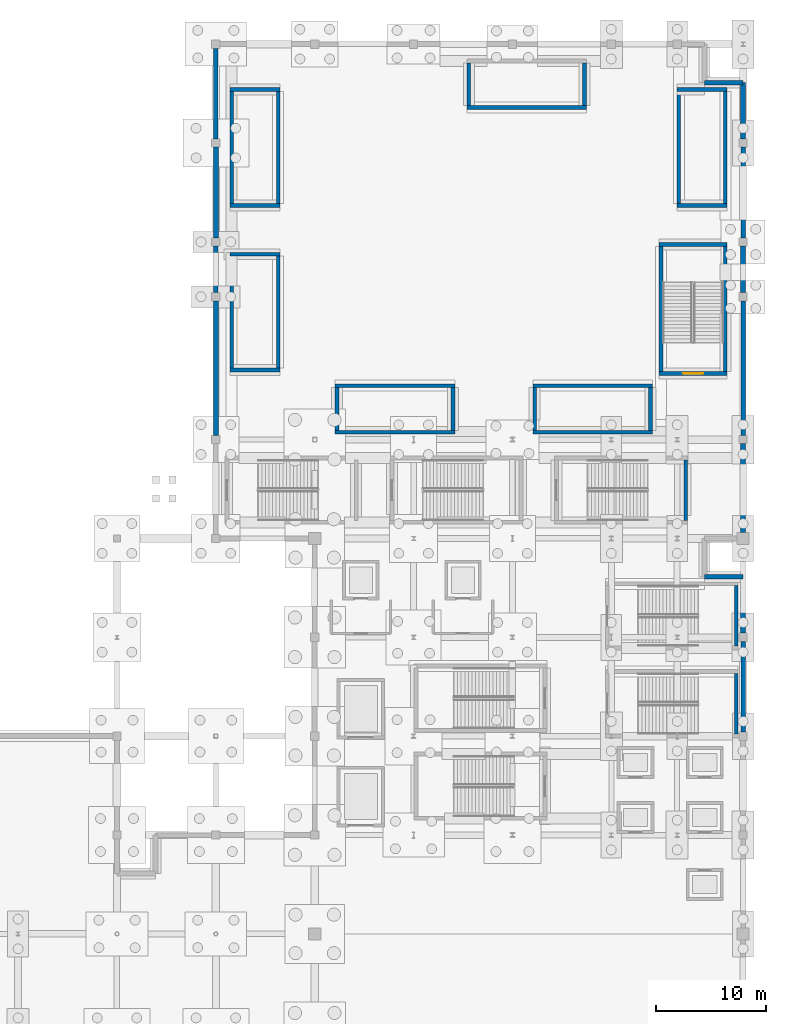
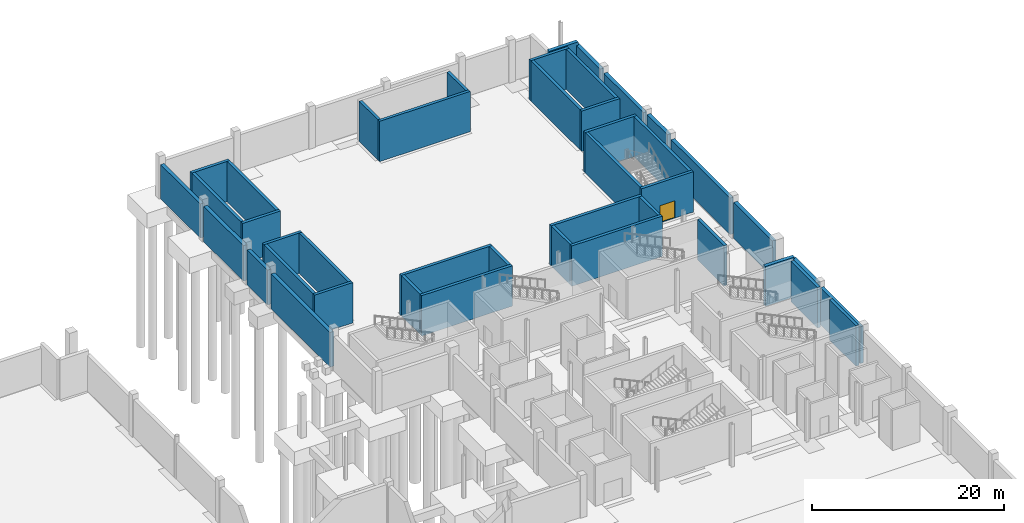
# One storey, part 45 of 58: 43 walls, 1 door, 1 opening.
"""IFC4 building model written with IfcOpenShell, lengths in metres."""

from ifc_helpers import new_model, si_unit, direction, frame, frame_2d, origin, place, context, subcontext, project, spatial, rectangle, extrude, material, layer, layer_set, type_object, element, fill, save


model = new_model("IFC4")

# Units and contexts
model_context = context("Model", 3, precision=1e-05, world=origin(), true_north=direction((0.0, 1.0)))
body_context = subcontext(model_context, "Body", "Model", "MODEL_VIEW")
ifc_project = project(units=[si_unit("LENGTHUNIT", "METRE"), si_unit("AREAUNIT", "SQUARE_METRE"), si_unit("VOLUMEUNIT", "CUBIC_METRE"), si_unit("PLANEANGLEUNIT", "RADIAN"), si_unit("MASSUNIT", "GRAM", prefix="KILO")], contexts=[model_context])

# Site, building, storey
site_placement = place(None, origin())
site = spatial("IfcSite", under=ifc_project, at=site_placement, CompositionType="ELEMENT")
building_placement = place(site_placement, origin())
building = spatial("IfcBuilding", under=site, at=building_placement, Name="Qamarlyn Nura Convention Centre", CompositionType="ELEMENT")
storey_placement = place(building_placement, frame((0.0, 0.0, -5.39990234375)))
storey = spatial("IfcBuildingStorey", under=building, at=storey_placement, Name="B01", CompositionType="ELEMENT", Elevation=-5.39990234375)

# Walls
ifc_material_1 = material(Name="Concrete C50/60", Category="concrete")
ifc_layer_1 = layer(ifc_material_1, 0.35009765625, Name="WT-CORE-350")
ifc_layer_set_1 = layer_set([ifc_layer_1], Name="Concrete C50/60")
wall_type_1 = type_object("IfcWallType", Name="WT-CORE-350", PredefinedType="SHEAR", material=ifc_layer_set_1)
for number, where, z_axis, x_axis, name in (
    (1, (191.375, 63.199951171875, 0.0), (0.0, 0.0, 1.0), (0.0, 1.0, 0.0), "B01 stair core shear wall ST-13-E"),
    (2, (191.375, 71.199951171875, 0.0), (0.0, 0.0, 1.0), (0.0, 1.0, 0.0), "B01 stair core shear wall ST-14-E"),
):
    element("IfcWall", number, at=place(storey_placement, frame(where, z_axis=z_axis, x_axis=x_axis)), inside=storey, type_object=wall_type_1, Name=name, PredefinedType="SHEAR", context=body_context, shape_type="SweptSolid", body=[
        extrude(rectangle(XDim=5.5, YDim=0.35009765625, at=frame_2d((2.75, 0.0))), origin(), (0.0, 0.0, 1.0), 5.139892578125),
    ])
wall_1_placement = place(storey_placement, frame((186.77490234375, 82.64990234375, 0.0), z_axis=(0.0, 0.0, 1.0), x_axis=(0.0, 1.0, 0.0)))
element("IfcWall", 3, at=wall_1_placement, inside=storey, type_object=wall_type_1, Name="B01 stair core shear wall ST-17-E", PredefinedType="SHEAR", context=body_context, shape_type="SweptSolid", body=[
    extrude(rectangle(XDim=5.5, YDim=0.35009765625, at=frame_2d((2.75, 0.0))), origin(), (0.0, 0.0, 1.0), 5.119873046875),
])

# Wall, opening, door
wall_2_placement = place(storey_placement, frame((184.35009765625, 96.02490234375, 0.0), z_axis=(0.0, 0.0, 1.0), x_axis=(1.0, 0.0, 0.0)))
wall_2 = element("IfcWall", 4, at=wall_2_placement, inside=storey, type_object=wall_type_1, Name="B01 stair core shear wall ST-18-S", PredefinedType="SHEAR", context=body_context, shape_type="SweptSolid", body=[
    extrude(rectangle(XDim=6.199951171875, YDim=0.35009765625, at=frame_2d((3.10009765625, 0.0))), origin(), (0.0, 0.0, 1.0), 5.119873046875),
])
opening_placement = place(wall_2_placement, frame((2.199951171875, 0.0, 0.0)))
opening = element("IfcOpeningElement", 5, at=opening_placement, cuts=wall_2, Name="Opening DS-088", PredefinedType="OPENING", context=body_context, shape_type="SweptSolid", body=[
    extrude(rectangle(XDim=1.800048828125, YDim=2.199951171875, at=frame_2d((0.89990234375, 1.10009765625))), frame((0.0, 0.18505859375, 0.0), z_axis=(0.0, -1.0, 0.0), x_axis=(1.0, 0.0, 0.0)), (0.0, 0.0, 1.0), 0.3701171875),
])
ifc_material_2 = material(Name="Galvanised fire-rated hollow steel door", Category="steel")
door_type = type_object("IfcDoorType", Name="DR-STAIR-1800", OperationType="DOUBLE_DOOR_SINGLE_SWING", PredefinedType="DOOR", material=ifc_material_2)
door_placement = place(opening_placement, origin())
door = element("IfcDoor", 6, at=door_placement, inside=storey, type_object=door_type, Name="B01 exit stair door ST-18 (DS-088)", OperationType="DOUBLE_DOOR_SINGLE_SWING", OverallHeight=2.199951171875, OverallWidth=1.800048828125, PredefinedType="DOOR", context=body_context, shape_type="SweptSolid", body=[
    extrude(rectangle(XDim=1.800048828125, YDim=2.199951171875, at=frame_2d((0.89990234375, 1.10009765625))), frame((0.0, 0.02490234375, 0.0), z_axis=(0.0, -1.0, 0.0), x_axis=(1.0, 0.0, 0.0)), (0.0, 0.0, 1.0), 0.050048828125),
])
fill(opening, door)

# Walls
wall_3_placement = place(storey_placement, frame((190.550048828125, 107.77490234375, 0.0), z_axis=(0.0, 0.0, 1.0), x_axis=(-1.0, 0.0, 0.0)))
element("IfcWall", 7, at=wall_3_placement, inside=storey, type_object=wall_type_1, Name="B01 stair core shear wall ST-18-N", PredefinedType="SHEAR", context=body_context, shape_type="SweptSolid", body=[
    extrude(rectangle(XDim=6.199951171875, YDim=0.35009765625, at=frame_2d((3.10009765625, 0.0))), origin(), (0.0, 0.0, 1.0), 5.119873046875),
])
for number, where, z_axis, x_axis, name in (
    (8, (184.52490234375, 107.60009765625, 0.0), (0.0, 0.0, 1.0), (0.0, -1.0, 0.0), "B01 stair core shear wall ST-18-W"),
    (9, (190.375, 96.199951171875, 0.0), (0.0, 0.0, 1.0), (0.0, 1.0, 0.0), "B01 stair core shear wall ST-18-E"),
):
    element("IfcWall", number, at=place(storey_placement, frame(where, z_axis=z_axis, x_axis=x_axis)), inside=storey, type_object=wall_type_1, Name=name, PredefinedType="SHEAR", context=body_context, shape_type="SweptSolid", body=[
        extrude(rectangle(XDim=11.400146484375, YDim=0.35009765625, at=frame_2d((5.7001953125, 0.0))), origin(), (0.0, 0.0, 1.0), 5.119873046875),
    ])
for number, where, z_axis, x_axis, name in (
    (10, (145.27001953125, 96.324951171875, 0.0), (0.0, 0.0, 1.0), (1.0, 0.0, 0.0), "B01 stair core shear wall ST-VOM1-S"),
    (11, (149.85009765625, 106.875, 0.0), (0.0, 0.0, 1.0), (-1.0, 0.0, 0.0), "B01 stair core shear wall ST-VOM1-N"),
):
    element("IfcWall", number, at=place(storey_placement, frame(where, z_axis=z_axis, x_axis=x_axis)), inside=storey, type_object=wall_type_1, Name=name, PredefinedType="SHEAR", context=body_context, shape_type="SweptSolid", body=[
        extrude(rectangle(XDim=4.580078125, YDim=0.35009765625, at=frame_2d((2.2900390625, 0.0))), origin(), (0.0, 0.0, 1.0), 5.119873046875),
    ])
for number, where, z_axis, x_axis, name in (
    (12, (145.445068359375, 106.699951171875, 0.0), (0.0, 0.0, 1.0), (0.0, -1.0, 0.0), "B01 stair core shear wall ST-VOM1-W"),
    (13, (149.675048828125, 96.5, 0.0), (0.0, 0.0, 1.0), (0.0, 1.0, 0.0), "B01 stair core shear wall ST-VOM1-E"),
):
    element("IfcWall", number, at=place(storey_placement, frame(where, z_axis=z_axis, x_axis=x_axis)), inside=storey, type_object=wall_type_1, Name=name, PredefinedType="SHEAR", context=body_context, shape_type="SweptSolid", body=[
        extrude(rectangle(XDim=10.199951171875, YDim=0.35009765625, at=frame_2d((5.10009765625, 0.0))), origin(), (0.0, 0.0, 1.0), 5.119873046875),
    ])
for number, where, z_axis, x_axis, name in (
    (14, (145.27001953125, 111.324951171875, 0.0), (0.0, 0.0, 1.0), (1.0, 0.0, 0.0), "B01 stair core shear wall ST-VOM2-S"),
    (15, (149.85009765625, 121.875, 0.0), (0.0, 0.0, 1.0), (-1.0, 0.0, 0.0), "B01 stair core shear wall ST-VOM2-N"),
):
    element("IfcWall", number, at=place(storey_placement, frame(where, z_axis=z_axis, x_axis=x_axis)), inside=storey, type_object=wall_type_1, Name=name, PredefinedType="SHEAR", context=body_context, shape_type="SweptSolid", body=[
        extrude(rectangle(XDim=4.580078125, YDim=0.35009765625, at=frame_2d((2.2900390625, 0.0))), origin(), (0.0, 0.0, 1.0), 5.119873046875),
    ])
for number, where, z_axis, x_axis, name in (
    (16, (145.445068359375, 121.699951171875, 0.0), (0.0, 0.0, 1.0), (0.0, -1.0, 0.0), "B01 stair core shear wall ST-VOM2-W"),
    (17, (149.675048828125, 111.5, 0.0), (0.0, 0.0, 1.0), (0.0, 1.0, 0.0), "B01 stair core shear wall ST-VOM2-E"),
):
    element("IfcWall", number, at=place(storey_placement, frame(where, z_axis=z_axis, x_axis=x_axis)), inside=storey, type_object=wall_type_1, Name=name, PredefinedType="SHEAR", context=body_context, shape_type="SweptSolid", body=[
        extrude(rectangle(XDim=10.199951171875, YDim=0.35009765625, at=frame_2d((5.10009765625, 0.0))), origin(), (0.0, 0.0, 1.0), 5.119873046875),
    ])
for number, where, z_axis, x_axis, name in (
    (18, (154.85009765625, 90.675048828125, 0.0), (0.0, 0.0, 1.0), (1.0, 0.0, 0.0), "B01 stair core shear wall ST-VOM3-S"),
    (19, (165.75, 94.905029296875, 0.0), (0.0, 0.0, 1.0), (-1.0, 0.0, 0.0), "B01 stair core shear wall ST-VOM3-N"),
):
    element("IfcWall", number, at=place(storey_placement, frame(where, z_axis=z_axis, x_axis=x_axis)), inside=storey, type_object=wall_type_1, Name=name, PredefinedType="SHEAR", context=body_context, shape_type="SweptSolid", body=[
        extrude(rectangle(XDim=10.89990234375, YDim=0.35009765625, at=frame_2d((5.449951171875, 0.0))), origin(), (0.0, 0.0, 1.0), 5.119873046875),
    ])
for number, where, z_axis, x_axis, name in (
    (20, (155.02490234375, 94.72998046875, 0.0), (0.0, 0.0, 1.0), (0.0, -1.0, 0.0), "B01 stair core shear wall ST-VOM3-W"),
    (21, (165.574951171875, 90.85009765625, 0.0), (0.0, 0.0, 1.0), (0.0, 1.0, 0.0), "B01 stair core shear wall ST-VOM3-E"),
):
    element("IfcWall", number, at=place(storey_placement, frame(where, z_axis=z_axis, x_axis=x_axis)), inside=storey, type_object=wall_type_1, Name=name, PredefinedType="SHEAR", context=body_context, shape_type="SweptSolid", body=[
        extrude(rectangle(XDim=3.8798828125, YDim=0.35009765625, at=frame_2d((1.93994140625, 0.0))), origin(), (0.0, 0.0, 1.0), 5.119873046875),
    ])
for number, where, z_axis, x_axis, name in (
    (22, (172.85009765625, 90.675048828125, 0.0), (0.0, 0.0, 1.0), (1.0, 0.0, 0.0), "B01 stair core shear wall ST-VOM4-S"),
    (23, (183.75, 94.905029296875, 0.0), (0.0, 0.0, 1.0), (-1.0, 0.0, 0.0), "B01 stair core shear wall ST-VOM4-N"),
):
    element("IfcWall", number, at=place(storey_placement, frame(where, z_axis=z_axis, x_axis=x_axis)), inside=storey, type_object=wall_type_1, Name=name, PredefinedType="SHEAR", context=body_context, shape_type="SweptSolid", body=[
        extrude(rectangle(XDim=10.89990234375, YDim=0.35009765625, at=frame_2d((5.449951171875, 0.0))), origin(), (0.0, 0.0, 1.0), 5.119873046875),
    ])
for number, where, z_axis, x_axis, name in (
    (24, (173.02490234375, 94.72998046875, 0.0), (0.0, 0.0, 1.0), (0.0, -1.0, 0.0), "B01 stair core shear wall ST-VOM4-W"),
    (25, (183.574951171875, 90.85009765625, 0.0), (0.0, 0.0, 1.0), (0.0, 1.0, 0.0), "B01 stair core shear wall ST-VOM4-E"),
):
    element("IfcWall", number, at=place(storey_placement, frame(where, z_axis=z_axis, x_axis=x_axis)), inside=storey, type_object=wall_type_1, Name=name, PredefinedType="SHEAR", context=body_context, shape_type="SweptSolid", body=[
        extrude(rectangle(XDim=3.8798828125, YDim=0.35009765625, at=frame_2d((1.93994140625, 0.0))), origin(), (0.0, 0.0, 1.0), 5.119873046875),
    ])
wall_4_placement = place(storey_placement, frame((166.85009765625, 120.22509765625, 0.0), z_axis=(0.0, 0.0, 1.0), x_axis=(1.0, 0.0, 0.0)))
element("IfcWall", 26, at=wall_4_placement, inside=storey, type_object=wall_type_1, Name="B01 stair core shear wall ST-VOM5-S", PredefinedType="SHEAR", context=body_context, shape_type="SweptSolid", body=[
    extrude(rectangle(XDim=10.89990234375, YDim=0.35009765625, at=frame_2d((5.449951171875, 0.0))), origin(), (0.0, 0.0, 1.0), 5.119873046875),
])
for number, where, z_axis, x_axis, name in (
    (27, (167.02490234375, 124.280029296875, 0.0), (0.0, 0.0, 1.0), (0.0, -1.0, 0.0), "B01 stair core shear wall ST-VOM5-W"),
    (28, (177.574951171875, 120.39990234375, 0.0), (0.0, 0.0, 1.0), (0.0, 1.0, 0.0), "B01 stair core shear wall ST-VOM5-E"),
):
    element("IfcWall", number, at=place(storey_placement, frame(where, z_axis=z_axis, x_axis=x_axis)), inside=storey, type_object=wall_type_1, Name=name, PredefinedType="SHEAR", context=body_context, shape_type="SweptSolid", body=[
        extrude(rectangle(XDim=3.880126953125, YDim=0.35009765625, at=frame_2d((1.93994140625, 0.0))), origin(), (0.0, 0.0, 1.0), 5.119873046875),
    ])
for number, where, z_axis, x_axis, name in (
    (29, (185.969970703125, 111.324951171875, 0.0), (0.0, 0.0, 1.0), (1.0, 0.0, 0.0), "B01 stair core shear wall ST-VOM6-S"),
    (30, (190.550048828125, 121.875, 0.0), (0.0, 0.0, 1.0), (-1.0, 0.0, 0.0), "B01 stair core shear wall ST-VOM6-N"),
):
    element("IfcWall", number, at=place(storey_placement, frame(where, z_axis=z_axis, x_axis=x_axis)), inside=storey, type_object=wall_type_1, Name=name, PredefinedType="SHEAR", context=body_context, shape_type="SweptSolid", body=[
        extrude(rectangle(XDim=4.580078125, YDim=0.35009765625, at=frame_2d((2.2900390625, 0.0))), origin(), (0.0, 0.0, 1.0), 5.119873046875),
    ])
for number, where, z_axis, x_axis, name in (
    (31, (186.14501953125, 121.699951171875, 0.0), (0.0, 0.0, 1.0), (0.0, -1.0, 0.0), "B01 stair core shear wall ST-VOM6-W"),
    (32, (190.375, 111.5, 0.0), (0.0, 0.0, 1.0), (0.0, 1.0, 0.0), "B01 stair core shear wall ST-VOM6-E"),
):
    element("IfcWall", number, at=place(storey_placement, frame(where, z_axis=z_axis, x_axis=x_axis)), inside=storey, type_object=wall_type_1, Name=name, PredefinedType="SHEAR", context=body_context, shape_type="SweptSolid", body=[
        extrude(rectangle(XDim=10.199951171875, YDim=0.35009765625, at=frame_2d((5.10009765625, 0.0))), origin(), (0.0, 0.0, 1.0), 5.119873046875),
    ])
ifc_material_3 = material(Name="Concrete C40/50", Category="concrete")
ifc_layer_2 = layer(ifc_material_3, 0.419921875, Name="WT-RET-420")
ifc_layer_set_2 = layer_set([ifc_layer_2], Name="Concrete C40/50")
wall_type_2 = type_object("IfcWallType", Name="WT-RET-420", PredefinedType="USERDEFINED", material=ifc_layer_set_2)
wall_5_placement = place(storey_placement, frame((144.0, 103.375, 0.0), z_axis=(0.0, 0.0, 1.0), x_axis=(0.0, 1.0, 0.0)))
element("IfcWall", 33, at=wall_5_placement, inside=storey, type_object=wall_type_2, Name="B01 perimeter retaining wall 50", ObjectType="RETAININGWALL", PredefinedType="USERDEFINED", context=body_context, shape_type="SweptSolid", body=[
    extrude(rectangle(XDim=4.25, YDim=0.419921875, at=frame_2d((2.125, 0.0))), origin(), (0.0, 0.0, 1.0), 4.4208984375),
])
wall_6_placement = place(storey_placement, frame((144.0, 117.375, 0.0), z_axis=(0.0, 0.0, 1.0), x_axis=(0.0, 1.0, 0.0)))
element("IfcWall", 34, at=wall_6_placement, inside=storey, type_object=wall_type_2, Name="B01 perimeter retaining wall 52", ObjectType="RETAININGWALL", PredefinedType="USERDEFINED", context=body_context, shape_type="SweptSolid", body=[
    extrude(rectangle(XDim=8.25, YDim=0.419921875, at=frame_2d((4.125, 0.0))), origin(), (0.0, 0.0, 1.0), 4.331787109375),
])
wall_7_placement = place(storey_placement, frame((188.5, 122.5, 0.0), z_axis=(0.0, 0.0, 1.0), x_axis=(1.0, 0.0, 0.0)))
element("IfcWall", 35, at=wall_7_placement, inside=storey, type_object=wall_type_2, Name="B01 perimeter retaining wall 60", ObjectType="RETAININGWALL", PredefinedType="USERDEFINED", context=body_context, shape_type="SweptSolid", body=[
    extrude(rectangle(XDim=3.5, YDim=0.419921875, at=frame_2d((1.75, 0.0))), origin(), (0.0, 0.0, 1.0), 5.0498046875),
])
wall_8_placement = place(storey_placement, frame((192.0, 116.625, 0.0), z_axis=(0.0, 0.0, 1.0), x_axis=(0.0, -1.0, 0.0)))
element("IfcWall", 36, at=wall_8_placement, inside=storey, type_object=wall_type_2, Name="B01 perimeter retaining wall 62", ObjectType="RETAININGWALL", PredefinedType="USERDEFINED", context=body_context, shape_type="SweptSolid", body=[
    extrude(rectangle(XDim=8.25, YDim=0.419921875, at=frame_2d((4.125, 0.0))), origin(), (0.0, 0.0, 1.0), 4.56591796875),
])
wall_9_placement = place(storey_placement, frame((192.0, 102.625, 0.0), z_axis=(0.0, 0.0, 1.0), x_axis=(0.0, -1.0, 0.0)))
element("IfcWall", 37, at=wall_9_placement, inside=storey, type_object=wall_type_2, Name="B01 perimeter retaining wall 64", ObjectType="RETAININGWALL", PredefinedType="USERDEFINED", context=body_context, shape_type="SweptSolid", body=[
    extrude(rectangle(XDim=12.25, YDim=0.419921875, at=frame_2d((6.125, 0.0))), origin(), (0.0, 0.0, 1.0), 4.638916015625),
])
wall_10_placement = place(storey_placement, frame((188.5, 77.5, 0.0), z_axis=(0.0, 0.0, 1.0), x_axis=(1.0, 0.0, 0.0)))
element("IfcWall", 38, at=wall_10_placement, inside=storey, type_object=wall_type_2, Name="B01 perimeter retaining wall 68", ObjectType="RETAININGWALL", PredefinedType="USERDEFINED", context=body_context, shape_type="SweptSolid", body=[
    extrude(rectangle(XDim=3.5, YDim=0.419921875, at=frame_2d((1.75, 0.0))), origin(), (0.0, 0.0, 1.0), 5.0498046875),
])
wall_11_placement = place(storey_placement, frame((192.0, 71.625, 0.0), z_axis=(0.0, 0.0, 1.0), x_axis=(0.0, -1.0, 0.0)))
element("IfcWall", 39, at=wall_11_placement, inside=storey, type_object=wall_type_2, Name="B01 perimeter retaining wall 70", ObjectType="RETAININGWALL", PredefinedType="USERDEFINED", context=body_context, shape_type="SweptSolid", body=[
    extrude(rectangle(XDim=8.25, YDim=0.419921875, at=frame_2d((4.125, 0.0))), origin(), (0.0, 0.0, 1.0), 4.658935546875),
])
ifc_layer_3 = layer(ifc_material_3, 0.449951171875, Name="WT-RET-450")
ifc_layer_set_3 = layer_set([ifc_layer_3], Name="Concrete C40/50")
wall_type_3 = type_object("IfcWallType", Name="WT-RET-450", PredefinedType="USERDEFINED", material=ifc_layer_set_3)
wall_12_placement = place(storey_placement, frame((144.0, 90.375, 0.0), z_axis=(0.0, 0.0, 1.0), x_axis=(0.0, 1.0, 0.0)))
element("IfcWall", 40, at=wall_12_placement, inside=storey, type_object=wall_type_3, Name="B01 perimeter retaining wall 49", ObjectType="RETAININGWALL", PredefinedType="USERDEFINED", context=body_context, shape_type="SweptSolid", body=[
    extrude(rectangle(XDim=12.25, YDim=0.449951171875, at=frame_2d((6.125, 0.0))), origin(), (0.0, 0.0, 1.0), 4.409912109375),
])
wall_13_placement = place(storey_placement, frame((144.0, 108.375, 0.0), z_axis=(0.0, 0.0, 1.0), x_axis=(0.0, 1.0, 0.0)))
element("IfcWall", 41, at=wall_13_placement, inside=storey, type_object=wall_type_3, Name="B01 perimeter retaining wall 51", ObjectType="RETAININGWALL", PredefinedType="USERDEFINED", context=body_context, shape_type="SweptSolid", body=[
    extrude(rectangle(XDim=8.25, YDim=0.449951171875, at=frame_2d((4.125, 0.0))), origin(), (0.0, 0.0, 1.0), 4.493896484375),
])
wall_14_placement = place(storey_placement, frame((192.0, 122.5, 0.0), z_axis=(0.0, 0.0, 1.0), x_axis=(0.0, -1.0, 0.0)))
element("IfcWall", 42, at=wall_14_placement, inside=storey, type_object=wall_type_3, Name="B01 perimeter retaining wall 61", ObjectType="RETAININGWALL", PredefinedType="USERDEFINED", context=body_context, shape_type="SweptSolid", body=[
    extrude(rectangle(XDim=5.125, YDim=0.449951171875, at=frame_2d((2.5625, 0.0))), origin(), (0.0, 0.0, 1.0), 4.638916015625),
])
wall_15_placement = place(storey_placement, frame((192.0, 107.625, 0.0), z_axis=(0.0, 0.0, 1.0), x_axis=(0.0, -1.0, 0.0)))
element("IfcWall", 43, at=wall_15_placement, inside=storey, type_object=wall_type_3, Name="B01 perimeter retaining wall 63", ObjectType="RETAININGWALL", PredefinedType="USERDEFINED", context=body_context, shape_type="SweptSolid", body=[
    extrude(rectangle(XDim=4.25, YDim=0.449951171875, at=frame_2d((2.125, 0.0))), origin(), (0.0, 0.0, 1.0), 4.804931640625),
])
wall_16_placement = place(storey_placement, frame((192.0, 89.625, 0.0), z_axis=(0.0, 0.0, 1.0), x_axis=(0.0, -1.0, 0.0)))
element("IfcWall", 44, at=wall_16_placement, inside=storey, type_object=wall_type_3, Name="B01 perimeter retaining wall 65", ObjectType="RETAININGWALL", PredefinedType="USERDEFINED", context=body_context, shape_type="SweptSolid", body=[
    extrude(rectangle(XDim=8.074951171875, YDim=0.449951171875, at=frame_2d((4.03759765625, 0.0))), origin(), (0.0, 0.0, 1.0), 4.56591796875),
])
wall_17_placement = place(storey_placement, frame((192.0, 77.5, 0.0), z_axis=(0.0, 0.0, 1.0), x_axis=(0.0, -1.0, 0.0)))
element("IfcWall", 45, at=wall_17_placement, inside=storey, type_object=wall_type_3, Name="B01 perimeter retaining wall 69", ObjectType="RETAININGWALL", PredefinedType="USERDEFINED", context=body_context, shape_type="SweptSolid", body=[
    extrude(rectangle(XDim=5.125, YDim=0.449951171875, at=frame_2d((2.5625, 0.0))), origin(), (0.0, 0.0, 1.0), 4.824951171875),
])

save(model, "model.ifc")
